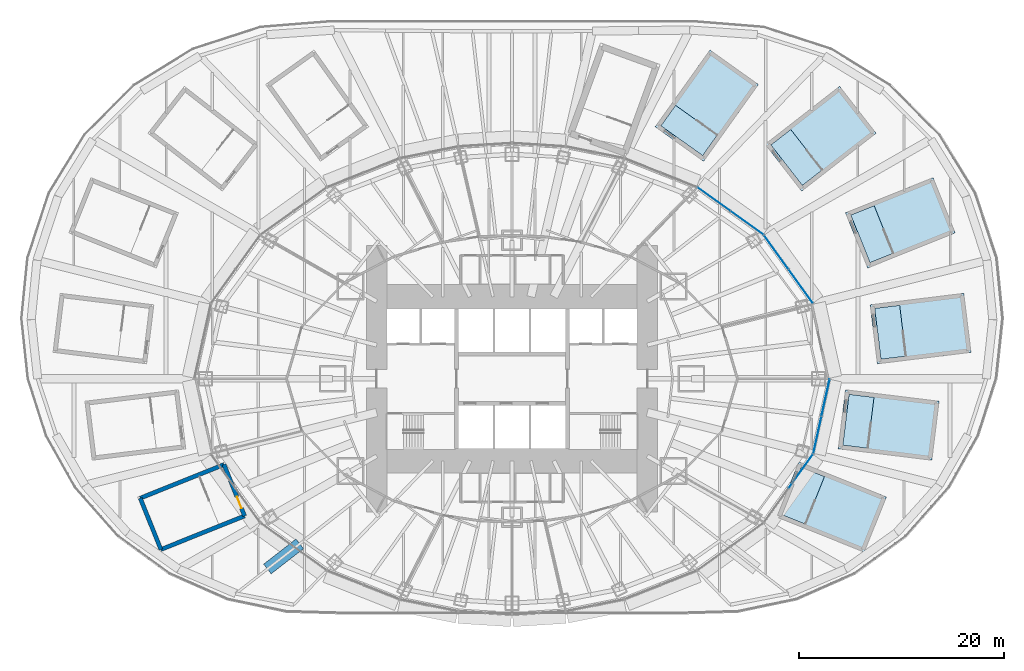
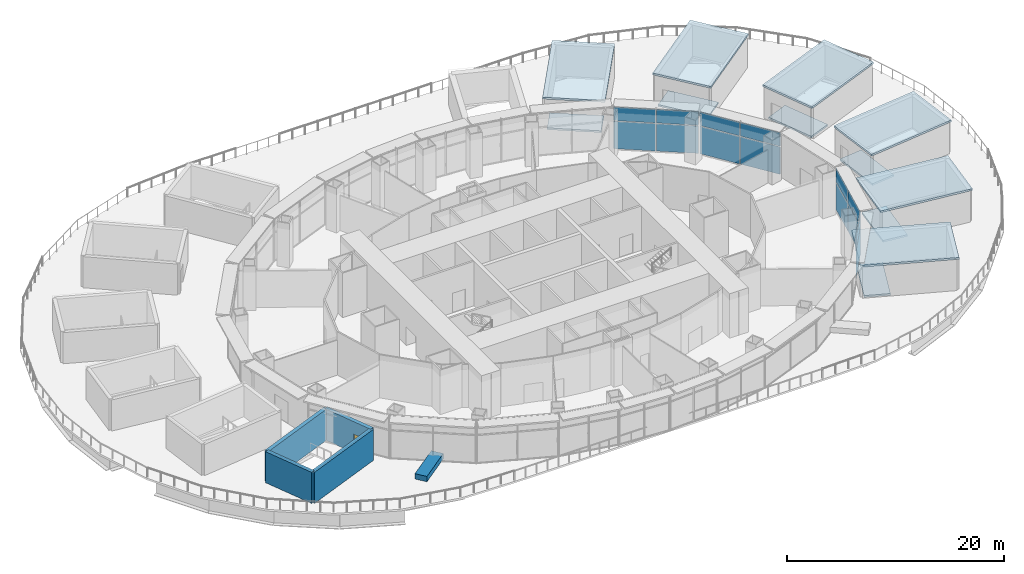
# One storey, part 15 of 25: 14 plates, 12 slabs, 5 walls, 1 door, 1 opening, 4 elements without a shape of their own.
"""IFC4 building model written with IfcOpenShell, lengths in metres."""

from ifc_helpers import new_model, si_unit, direction, frame, frame_2d, origin, origin_2d, place, context, subcontext, project, spatial, polyline, rectangle, outline, extrude, material, layer, layer_set, type_object, element, fill, aggregate, save


model = new_model("IFC4")

# Units and contexts
model_context = context("Model", 3, precision=1e-05, world=origin(), true_north=direction((0.0, 1.0)))
body_context = subcontext(model_context, "Body", "Model", "MODEL_VIEW")
ifc_project = project(units=[si_unit("LENGTHUNIT", "METRE"), si_unit("AREAUNIT", "SQUARE_METRE"), si_unit("VOLUMEUNIT", "CUBIC_METRE"), si_unit("PLANEANGLEUNIT", "RADIAN"), si_unit("MASSUNIT", "GRAM", prefix="KILO")], contexts=[model_context])

# Site, building, storey
site_placement = place(None, origin())
site = spatial("IfcSite", under=ifc_project, at=site_placement, CompositionType="ELEMENT")
building_placement = place(site_placement, origin())
building = spatial("IfcBuilding", under=site, at=building_placement, Name="Lantaw Convention Tower", CompositionType="ELEMENT")
storey_placement = place(building_placement, frame((0.0, 0.0, 32.0)))
storey = spatial("IfcBuildingStorey", under=building, at=storey_placement, Name="L05", CompositionType="ELEMENT", Elevation=32.0)

# Curtain wall, plates
ifc_material_1 = material(Name="Aluminium framed curtain wall", Category="aluminium")
curtain_wall_type = type_object("IfcCurtainWallType", Name="Sky lobby curtain wall L05, pale aluminium", PredefinedType="USERDEFINED", material=ifc_material_1)
curtain_wall_1_placement = place(storey_placement, origin())
curtain_wall_1 = element("IfcCurtainWall", 1, at=curtain_wall_1_placement, inside=storey, type_object=curtain_wall_type, Name="Sky lobby curtain wall L05, pale aluminium L05", ObjectType="STICK CURTAIN WALL", PredefinedType="USERDEFINED")
ifc_material_2 = material(Name="Clear insulating glass", Category="glass")
ifc_layer_1 = layer(ifc_material_2, 0.030029296875)
ifc_layer_set_1 = layer_set([ifc_layer_1], Name="CW-HL panel 30")
plate_type = type_object("IfcPlateType", Name="CW-HL panel 30", PredefinedType="CURTAIN_PANEL", material=ifc_layer_set_1)
plate_1_placement = place(storey_placement, frame((28.16796875, 9.018798828125, 0.074951171875), z_axis=(0.0, 0.0, 1.0), x_axis=(-0.583951250436, 0.811788726895, 0.0)))
plate_1 = element("IfcPlate", 2, at=plate_1_placement, type_object=plate_type, Name="CW-HL panel 1.1", PredefinedType="CURTAIN_PANEL", context=body_context, shape_type="SweptSolid", body=[
    extrude(rectangle(XDim=4.01904296875, YDim=0.030029296875, at=origin_2d()), origin(), (0.0, 0.0, 1.0), 3.08740234375),
])
plate_2_placement = place(storey_placement, frame((28.16796875, 9.018798828125, 3.237548828125), z_axis=(0.0, 0.0, 1.0), x_axis=(-0.583951250436, 0.811788726895, 0.0)))
plate_2 = element("IfcPlate", 3, at=plate_2_placement, type_object=plate_type, Name="CW-HL panel 1.2", PredefinedType="CURTAIN_PANEL", context=body_context, shape_type="SweptSolid", body=[
    extrude(rectangle(XDim=4.01904296875, YDim=0.030029296875, at=origin_2d()), origin(), (0.0, 0.0, 1.0), 1.53759765625),
])
plate_3_placement = place(storey_placement, frame((25.77734375, 12.342041015625, 0.074951171875), z_axis=(0.0, 0.0, 1.0), x_axis=(-0.583951250436, 0.811788726895, 0.0)))
plate_3 = element("IfcPlate", 4, at=plate_3_placement, type_object=plate_type, Name="CW-HL panel 2.1", PredefinedType="CURTAIN_PANEL", context=body_context, shape_type="SweptSolid", body=[
    extrude(rectangle(XDim=4.01904296875, YDim=0.030029296875, at=origin_2d()), origin(), (0.0, 0.0, 1.0), 3.08740234375),
])
plate_4_placement = place(storey_placement, frame((25.77734375, 12.342041015625, 3.237548828125), z_axis=(0.0, 0.0, 1.0), x_axis=(-0.583951250436, 0.811788726895, 0.0)))
plate_4 = element("IfcPlate", 5, at=plate_4_placement, type_object=plate_type, Name="CW-HL panel 2.2", PredefinedType="CURTAIN_PANEL", context=body_context, shape_type="SweptSolid", body=[
    extrude(rectangle(XDim=4.01904296875, YDim=0.030029296875, at=origin_2d()), origin(), (0.0, 0.0, 1.0), 1.53759765625),
])
aggregate(curtain_wall_1, [plate_1, plate_2, plate_3, plate_4])

curtain_wall_2_placement = place(storey_placement, origin())
curtain_wall_2 = element("IfcCurtainWall", 6, at=curtain_wall_2_placement, inside=storey, type_object=curtain_wall_type, Name="Sky lobby curtain wall L05, pale aluminium L05", ObjectType="STICK CURTAIN WALL", PredefinedType="USERDEFINED")
plate_5_placement = place(storey_placement, frame((22.91845703125, 15.210693359375, 0.074951171875), z_axis=(0.0, 0.0, 1.0), x_axis=(-0.812803733199, 0.5825376308, 0.0)))
plate_5 = element("IfcPlate", 7, at=plate_5_placement, type_object=plate_type, Name="CW-HL panel 1.1", PredefinedType="CURTAIN_PANEL", context=body_context, shape_type="SweptSolid", body=[
    extrude(rectangle(XDim=3.88916015625, YDim=0.030029296875, at=origin_2d()), origin(), (0.0, 0.0, 1.0), 3.08740234375),
])
plate_6_placement = place(storey_placement, frame((22.91845703125, 15.210693359375, 3.237548828125), z_axis=(0.0, 0.0, 1.0), x_axis=(-0.812803733199, 0.5825376308, 0.0)))
plate_6 = element("IfcPlate", 8, at=plate_6_placement, type_object=plate_type, Name="CW-HL panel 1.2", PredefinedType="CURTAIN_PANEL", context=body_context, shape_type="SweptSolid", body=[
    extrude(rectangle(XDim=3.88916015625, YDim=0.030029296875, at=origin_2d()), origin(), (0.0, 0.0, 1.0), 1.53759765625),
])
plate_7_placement = place(storey_placement, frame((19.696533203125, 17.52001953125, 0.074951171875), z_axis=(0.0, 0.0, 1.0), x_axis=(-0.812803733199, 0.5825376308, 0.0)))
plate_7 = element("IfcPlate", 9, at=plate_7_placement, type_object=plate_type, Name="CW-HL panel 2.1", PredefinedType="CURTAIN_PANEL", context=body_context, shape_type="SweptSolid", body=[
    extrude(rectangle(XDim=3.88916015625, YDim=0.030029296875, at=origin_2d()), origin(), (0.0, 0.0, 1.0), 3.08740234375),
])
plate_8_placement = place(storey_placement, frame((19.696533203125, 17.52001953125, 3.237548828125), z_axis=(0.0, 0.0, 1.0), x_axis=(-0.812803733199, 0.5825376308, 0.0)))
plate_8 = element("IfcPlate", 10, at=plate_8_placement, type_object=plate_type, Name="CW-HL panel 2.2", PredefinedType="CURTAIN_PANEL", context=body_context, shape_type="SweptSolid", body=[
    extrude(rectangle(XDim=3.88916015625, YDim=0.030029296875, at=origin_2d()), origin(), (0.0, 0.0, 1.0), 1.53759765625),
])
aggregate(curtain_wall_2, [plate_5, plate_6, plate_7, plate_8])

curtain_wall_3_placement = place(storey_placement, origin())
curtain_wall_3 = element("IfcCurtainWall", 11, at=curtain_wall_3_placement, inside=storey, type_object=curtain_wall_type, Name="Sky lobby curtain wall L05, pale aluminium L05", ObjectType="STICK CURTAIN WALL", PredefinedType="USERDEFINED")
plate_9_placement = place(storey_placement, frame((28.16796875, -9.018798828125, 0.074951171875), z_axis=(0.0, 0.0, 1.0), x_axis=(0.583951250436, 0.811788726895, 0.0)))
plate_9 = element("IfcPlate", 12, at=plate_9_placement, type_object=plate_type, Name="CW-HL panel 2.1", PredefinedType="CURTAIN_PANEL", context=body_context, shape_type="SweptSolid", body=[
    extrude(rectangle(XDim=4.01904296875, YDim=0.030029296875, at=origin_2d()), origin(), (0.0, 0.0, 1.0), 3.08740234375),
])
plate_10_placement = place(storey_placement, frame((28.16796875, -9.018798828125, 3.237548828125), z_axis=(0.0, 0.0, 1.0), x_axis=(0.583951250436, 0.811788726895, 0.0)))
plate_10 = element("IfcPlate", 13, at=plate_10_placement, type_object=plate_type, Name="CW-HL panel 2.2", PredefinedType="CURTAIN_PANEL", context=body_context, shape_type="SweptSolid", body=[
    extrude(rectangle(XDim=4.01904296875, YDim=0.030029296875, at=origin_2d()), origin(), (0.0, 0.0, 1.0), 1.53759765625),
])
aggregate(curtain_wall_3, [plate_9, plate_10])

curtain_wall_4_placement = place(storey_placement, origin())
curtain_wall_4 = element("IfcCurtainWall", 14, at=curtain_wall_4_placement, inside=storey, type_object=curtain_wall_type, Name="Sky lobby curtain wall L05, pale aluminium L05", ObjectType="STICK CURTAIN WALL", PredefinedType="USERDEFINED")
plate_11_placement = place(storey_placement, frame((29.79296875, -5.4765625, 0.074951171875), z_axis=(0.0, 0.0, 1.0), x_axis=(0.215246056391, 0.976559847223, 0.0)))
plate_11 = element("IfcPlate", 15, at=plate_11_placement, type_object=plate_type, Name="CW-HL panel 1.1", PredefinedType="CURTAIN_PANEL", context=body_context, shape_type="SweptSolid", body=[
    extrude(rectangle(XDim=3.638671875, YDim=0.030029296875, at=origin_2d()), origin(), (0.0, 0.0, 1.0), 3.08740234375),
])
plate_12_placement = place(storey_placement, frame((29.79296875, -5.4765625, 3.237548828125), z_axis=(0.0, 0.0, 1.0), x_axis=(0.215246056391, 0.976559847223, 0.0)))
plate_12 = element("IfcPlate", 16, at=plate_12_placement, type_object=plate_type, Name="CW-HL panel 1.2", PredefinedType="CURTAIN_PANEL", context=body_context, shape_type="SweptSolid", body=[
    extrude(rectangle(XDim=3.638671875, YDim=0.030029296875, at=origin_2d()), origin(), (0.0, 0.0, 1.0), 1.53759765625),
])
plate_13_placement = place(storey_placement, frame((30.59228515625, -1.849853515625, 0.074951171875), z_axis=(0.0, 0.0, 1.0), x_axis=(0.215246056391, 0.976559847223, 0.0)))
plate_13 = element("IfcPlate", 17, at=plate_13_placement, type_object=plate_type, Name="CW-HL panel 2.1", PredefinedType="CURTAIN_PANEL", context=body_context, shape_type="SweptSolid", body=[
    extrude(rectangle(XDim=3.638671875, YDim=0.030029296875, at=origin_2d()), origin(), (0.0, 0.0, 1.0), 3.08740234375),
])
plate_14_placement = place(storey_placement, frame((30.59228515625, -1.849853515625, 3.237548828125), z_axis=(0.0, 0.0, 1.0), x_axis=(0.215246056391, 0.976559847223, 0.0)))
plate_14 = element("IfcPlate", 18, at=plate_14_placement, type_object=plate_type, Name="CW-HL panel 2.2", PredefinedType="CURTAIN_PANEL", context=body_context, shape_type="SweptSolid", body=[
    extrude(rectangle(XDim=3.638671875, YDim=0.030029296875, at=origin_2d()), origin(), (0.0, 0.0, 1.0), 1.53759765625),
])
aggregate(curtain_wall_4, [plate_11, plate_12, plate_13, plate_14])

# Slabs
ifc_material_3 = material(Name="Concrete C35/45", Category="concrete")
ifc_layer_2 = layer(ifc_material_3, 0.199951171875)
ifc_layer_set_2 = layer_set([ifc_layer_2], Name="Roof slab 200")
slab_type_1 = type_object("IfcSlabType", Name="Roof slab 200", PredefinedType="ROOF", material=ifc_layer_set_2)
slab_1_placement = place(storey_placement, frame((0.0, 0.0, 3.5)))
element("IfcSlab", 19, at=slab_1_placement, inside=storey, type_object=slab_type_1, Name="Stair head-house roof", PredefinedType="ROOF", context=body_context, shape_type="SweptSolid", body=[
    extrude(outline(polyline([(35.648681640625, 1.455322265625), (44.780029296875, 2.576416015625), (44.0732421875, 8.333251953125), (34.94189453125, 7.212158203125), (35.648681640625, 1.455322265625)])), origin(), (0.0, 0.0, 1.0), 0.199951171875),
])
slab_2_placement = place(storey_placement, frame((0.0, 0.0, 3.5)))
element("IfcSlab", 20, at=slab_2_placement, inside=storey, type_object=slab_type_1, Name="Stair head-house roof", PredefinedType="ROOF", context=body_context, shape_type="SweptSolid", body=[
    extrude(outline(polyline([(34.70068359375, 10.80517578125), (43.238525390625, 14.232666015625), (41.07763671875, 19.615234375), (32.5400390625, 16.187744140625), (34.70068359375, 10.80517578125)])), origin(), (0.0, 0.0, 1.0), 0.199951171875),
])
slab_3_placement = place(storey_placement, frame((0.0, 0.0, 3.5)))
element("IfcSlab", 21, at=slab_3_placement, inside=storey, type_object=slab_type_1, Name="Stair head-house roof", PredefinedType="ROOF", context=body_context, shape_type="SweptSolid", body=[
    extrude(outline(polyline([(28.257568359375, 18.302490234375), (35.52001953125, 23.950439453125), (31.959228515625, 28.52880859375), (24.697021484375, 22.880859375), (28.257568359375, 18.302490234375)])), origin(), (0.0, 0.0, 1.0), 0.199951171875),
])
slab_4_placement = place(storey_placement, frame((0.0, 0.0, 3.5)))
element("IfcSlab", 22, at=slab_4_placement, inside=storey, type_object=slab_type_1, Name="Stair head-house roof", PredefinedType="ROOF", context=body_context, shape_type="SweptSolid", body=[
    extrude(outline(polyline([(18.69384765625, 21.2138671875), (24.036376953125, 28.70361328125), (19.314453125, 32.07177734375), (13.971923828125, 24.58203125), (18.69384765625, 21.2138671875)])), origin(), (0.0, 0.0, 1.0), 0.199951171875),
])
slab_5_placement = place(storey_placement, frame((0.0, 0.0, 3.5)))
element("IfcSlab", 23, at=slab_5_placement, inside=storey, type_object=slab_type_1, Name="Stair head-house roof", PredefinedType="ROOF", context=body_context, shape_type="SweptSolid", body=[
    extrude(outline(polyline([(25.826904296875, -13.492919921875), (34.364501953125, -16.920166015625), (36.525390625, -11.53759765625), (27.987548828125, -8.1103515625), (25.826904296875, -13.492919921875)])), origin(), (0.0, 0.0, 1.0), 0.199951171875),
])
slab_6_placement = place(storey_placement, frame((0.0, 0.0, 3.5)))
element("IfcSlab", 24, at=slab_6_placement, inside=storey, type_object=slab_type_1, Name="Stair head-house roof", PredefinedType="ROOF", context=body_context, shape_type="SweptSolid", body=[
    extrude(outline(polyline([(31.82763671875, -6.829833984375), (40.958984375, -7.950927734375), (41.666015625, -2.194091796875), (32.534423828125, -1.072998046875), (31.82763671875, -6.829833984375)])), origin(), (0.0, 0.0, 1.0), 0.199951171875),
])
ifc_layer_3 = layer(ifc_material_3, 0.199951171875)
ifc_layer_set_3 = layer_set([ifc_layer_3], Name="Stair landing 200")
slab_type_2 = type_object("IfcSlabType", Name="Stair landing 200", PredefinedType="LANDING", material=ifc_layer_set_3)
slab_7_placement = place(storey_placement, frame((0.0, 0.0, -0.199951171875)))
element("IfcSlab", 25, at=slab_7_placement, inside=storey, type_object=slab_type_2, Name="Podium exit stair P1 top landing", PredefinedType="LANDING", context=body_context, shape_type="SweptSolid", body=[
    extrude(outline(polyline([(35.996826171875, 1.901123046875), (38.4306640625, 2.199951171875), (37.8212890625, 7.16259765625), (35.387451171875, 6.86376953125), (35.996826171875, 1.901123046875)])), origin(), (0.0, 0.0, 1.0), 0.199951171875),
])
slab_8_placement = place(storey_placement, frame((0.0, 0.0, -0.199951171875)))
element("IfcSlab", 26, at=slab_8_placement, inside=storey, type_object=slab_type_2, Name="Podium exit stair P2 top landing", PredefinedType="LANDING", context=body_context, shape_type="SweptSolid", body=[
    extrude(outline(polyline([(34.9228515625, 11.325439453125), (37.198486328125, 12.239013671875), (35.335693359375, 16.879150390625), (33.06005859375, 15.965576171875), (34.9228515625, 11.325439453125)])), origin(), (0.0, 0.0, 1.0), 0.199951171875),
])
slab_9_placement = place(storey_placement, frame((0.0, 0.0, -0.199951171875)))
element("IfcSlab", 27, at=slab_9_placement, inside=storey, type_object=slab_type_2, Name="Podium exit stair P3 top landing", PredefinedType="LANDING", context=body_context, shape_type="SweptSolid", body=[
    extrude(outline(polyline([(28.327880859375, 18.86376953125), (30.263427734375, 20.369140625), (27.19384765625, 24.31591796875), (25.25830078125, 22.810546875), (28.327880859375, 18.86376953125)])), origin(), (0.0, 0.0, 1.0), 0.199951171875),
])
slab_10_placement = place(storey_placement, frame((0.0, 0.0, -0.199951171875)))
element("IfcSlab", 28, at=slab_10_placement, inside=storey, type_object=slab_type_2, Name="Podium exit stair P4 top landing", PredefinedType="LANDING", context=body_context, shape_type="SweptSolid", body=[
    extrude(outline(polyline([(18.6005859375, 21.771728515625), (20.0244140625, 23.76806640625), (15.953857421875, 26.67138671875), (14.52978515625, 24.67529296875), (18.6005859375, 21.771728515625)])), origin(), (0.0, 0.0, 1.0), 0.199951171875),
])
slab_11_placement = place(storey_placement, frame((0.0, 0.0, -0.199951171875)))
element("IfcSlab", 29, at=slab_11_placement, inside=storey, type_object=slab_type_2, Name="Podium exit stair P12 top landing", PredefinedType="LANDING", context=body_context, shape_type="SweptSolid", body=[
    extrude(outline(polyline([(26.34716796875, -13.270751953125), (28.62255859375, -14.18408203125), (30.4853515625, -9.5439453125), (28.209716796875, -8.630615234375), (26.34716796875, -13.270751953125)])), origin(), (0.0, 0.0, 1.0), 0.199951171875),
])
slab_12_placement = place(storey_placement, frame((0.0, 0.0, -0.199951171875)))
element("IfcSlab", 30, at=slab_12_placement, inside=storey, type_object=slab_type_2, Name="Podium exit stair P13 top landing", PredefinedType="LANDING", context=body_context, shape_type="SweptSolid", body=[
    extrude(outline(polyline([(32.2734375, -6.4814453125), (34.70703125, -6.7802734375), (35.31640625, -1.817626953125), (32.8828125, -1.518798828125), (32.2734375, -6.4814453125)])), origin(), (0.0, 0.0, 1.0), 0.199951171875),
])

# Walls
ifc_material_4 = material(Name="Precast concrete planter", Category="concrete")
ifc_layer_4 = layer(ifc_material_4, 1.199951171875)
ifc_layer_set_4 = layer_set([ifc_layer_4], Name="PLANTER box 1200x600")
wall_type_1 = type_object("IfcWallType", Name="PLANTER box 1200x600", PredefinedType="USERDEFINED", material=ifc_layer_set_4)
wall_1_placement = place(storey_placement, frame((-20.706787109375, -16.103759765625, 0.0), z_axis=(0.0, 0.0, 1.0), x_axis=(-0.789352217376, -0.613940613515, 0.0)))
element("IfcWall", 31, at=wall_1_placement, inside=storey, type_object=wall_type_1, Name="Tree PLANTER", ObjectType="PLANTER", PredefinedType="USERDEFINED", context=body_context, shape_type="SweptSolid", body=[
    extrude(rectangle(XDim=4.0, YDim=1.199951171875, at=frame_2d((2.0, 0.0))), origin(), (0.0, 0.0, 1.0), 0.60009765625),
])
ifc_material_5 = material(Name="Concrete C40/50, stair core, rendered", Category="concrete")
ifc_layer_5 = layer(ifc_material_5, 0.39990234375)
ifc_layer_set_5 = layer_set([ifc_layer_5], Name="Stair head-house wall 400 EI 120")
wall_type_2 = type_object("IfcWallType", Name="Stair head-house wall 400 EI 120", PredefinedType="SHEAR", material=ifc_layer_set_5)
wall_2_placement = place(storey_placement, frame((-28.0986328125, -8.37060546875, 0.0), z_axis=(0.0, 0.0, 1.0), x_axis=(-0.92801678004, -0.372538395288, 0.0)))
element("IfcWall", 32, at=wall_2_placement, inside=storey, type_object=wall_type_2, Name="Stair head-house wall", PredefinedType="SHEAR", context=body_context, shape_type="SweptSolid", body=[
    extrude(rectangle(XDim=8.800048828125, YDim=0.39990234375, at=frame_2d((4.39990234375, 0.0))), origin(), (0.0, 0.0, 1.0), 3.5),
])
wall_3_placement = place(storey_placement, frame((-36.26513671875, -11.64892578125, 0.0), z_axis=(0.0, 0.0, 1.0), x_axis=(0.372544066459, -0.928014503414, 0.0)))
element("IfcWall", 33, at=wall_3_placement, inside=storey, type_object=wall_type_2, Name="Stair head-house wall", PredefinedType="SHEAR", context=body_context, shape_type="SweptSolid", body=[
    extrude(rectangle(XDim=5.39990234375, YDim=0.39990234375, at=frame_2d((2.699951171875, 0.0))), origin(), (0.0, 0.0, 1.0), 3.5),
])
wall_4_placement = place(storey_placement, frame((-34.25341796875, -16.66015625, 0.0), z_axis=(0.0, 0.0, 1.0), x_axis=(0.92801678004, 0.372538395288, 0.0)))
element("IfcWall", 34, at=wall_4_placement, inside=storey, type_object=wall_type_2, Name="Stair head-house wall", PredefinedType="SHEAR", context=body_context, shape_type="SweptSolid", body=[
    extrude(rectangle(XDim=8.800048828125, YDim=0.39990234375, at=frame_2d((4.39990234375, 0.0))), origin(), (0.0, 0.0, 1.0), 3.5),
])

# Wall, opening, door
wall_5_placement = place(storey_placement, frame((-26.0869140625, -13.3818359375, 0.0), z_axis=(0.0, 0.0, 1.0), x_axis=(-0.372544066459, 0.928014503414, 0.0)))
wall_5 = element("IfcWall", 35, at=wall_5_placement, inside=storey, type_object=wall_type_2, Name="Stair head-house wall", PredefinedType="SHEAR", context=body_context, shape_type="SweptSolid", body=[
    extrude(rectangle(XDim=5.39990234375, YDim=0.39990234375, at=frame_2d((2.699951171875, 0.0))), origin(), (0.0, 0.0, 1.0), 3.5),
])
opening_placement = place(wall_5_placement, frame((0.800048828125, 0.0, 0.0)))
opening = element("IfcOpeningElement", 36, at=opening_placement, cuts=wall_5, Name="Opening L05.P11", PredefinedType="OPENING", context=body_context, shape_type="SweptSolid", body=[
    extrude(rectangle(XDim=1.199951171875, YDim=2.10009765625, at=frame_2d((0.60009765625, 1.050048828125))), frame((0.0, 0.2099609375, 0.0), z_axis=(0.0, -1.0, 0.0), x_axis=(1.0, 0.0, 0.0)), (0.0, 0.0, 1.0), 0.419921875),
])
ifc_material_6 = material(Name="Aluminium and glass", Category="aluminium")
door_type = type_object("IfcDoorType", Name="Exit door 1200", OperationType="SINGLE_SWING_RIGHT", PredefinedType="DOOR", material=ifc_material_6)
door_placement = place(opening_placement, origin())
door = element("IfcDoor", 37, at=door_placement, inside=storey, type_object=door_type, Name="Stair door to terrace", OperationType="SINGLE_SWING_RIGHT", OverallHeight=2.10009765625, OverallWidth=1.199951171875, PredefinedType="DOOR", context=body_context, shape_type="SweptSolid", body=[
    extrude(rectangle(XDim=1.199951171875, YDim=2.10009765625, at=frame_2d((0.60009765625, 1.050048828125))), frame((0.0, 0.02490234375, 0.0), z_axis=(0.0, -1.0, 0.0), x_axis=(1.0, 0.0, 0.0)), (0.0, 0.0, 1.0), 0.050048828125),
])
fill(opening, door)

save(model, "model.ifc")
